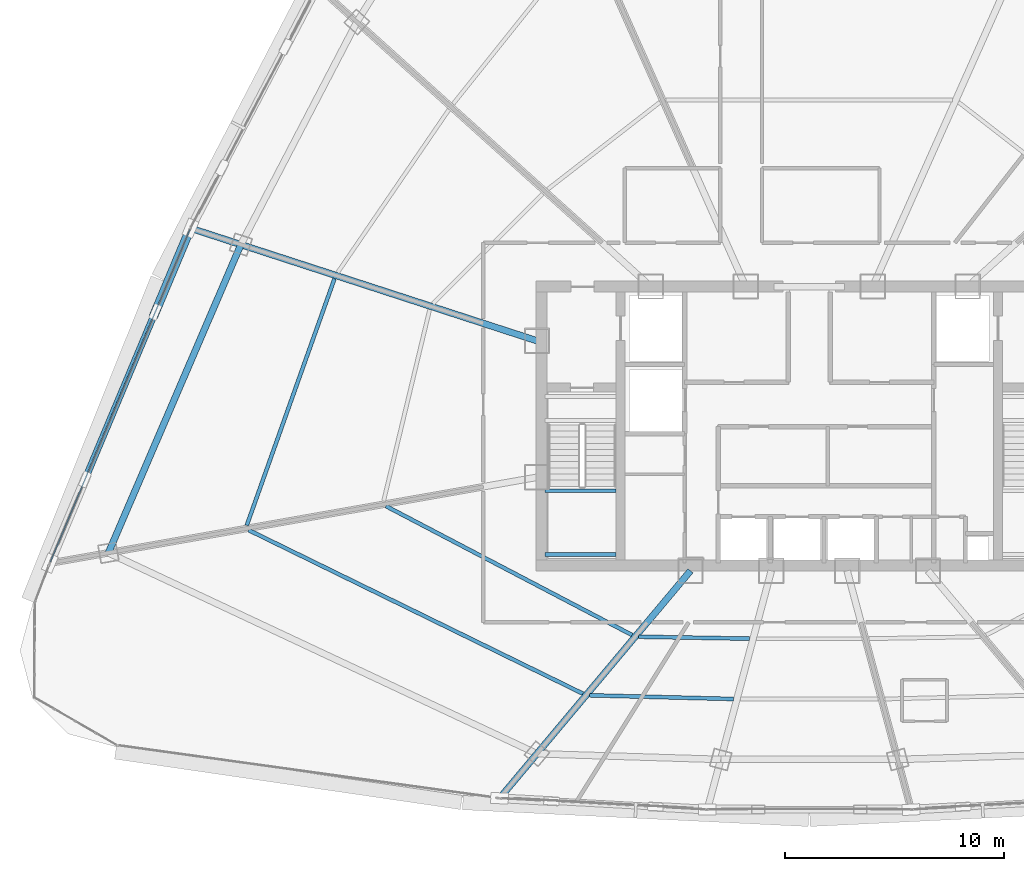
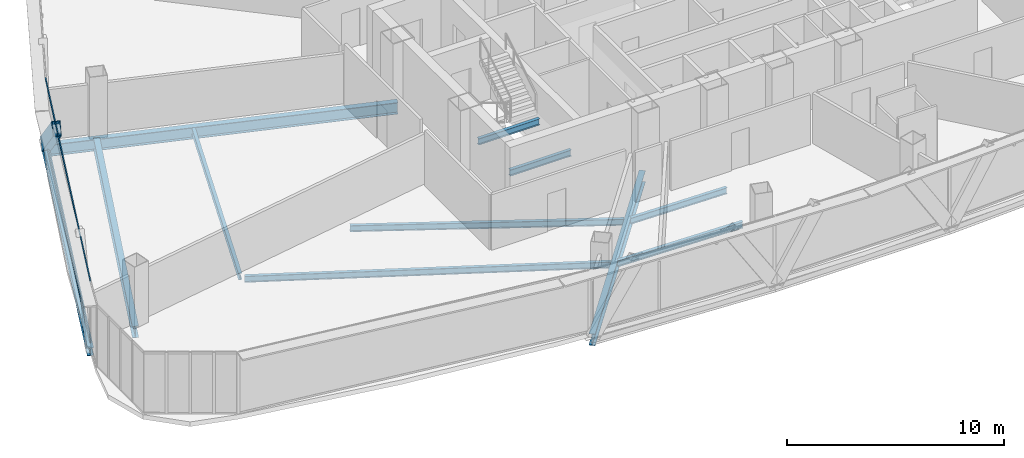
# One storey, part 7 of 37: 11 beams, 3 members, 1 element without a shape of its own.
"""IFC4 building model written with IfcOpenShell, lengths in metres."""

from ifc_helpers import new_model, si_unit, direction, frame, origin, origin_2d, place, context, subcontext, project, spatial, hollow_rectangle, i_section, extrude, source, transform, mapped, material, layer, layer_set, material_profile, profile_set, type_object, element, aggregate, save


model = new_model("IFC4")

# Units and contexts
model_context = context("Model", 3, precision=1e-05, world=origin(), true_north=direction((0.0, 1.0)))
body_context = subcontext(model_context, "Body", "Model", "MODEL_VIEW")
ifc_project = project(units=[si_unit("LENGTHUNIT", "METRE"), si_unit("AREAUNIT", "SQUARE_METRE"), si_unit("VOLUMEUNIT", "CUBIC_METRE"), si_unit("PLANEANGLEUNIT", "RADIAN"), si_unit("MASSUNIT", "GRAM", prefix="KILO"), si_unit("THERMODYNAMICTEMPERATUREUNIT", "KELVIN"), si_unit("POWERUNIT", "WATT")], contexts=[model_context])

# Site, building, storey
site_placement = place(None, origin())
site = spatial("IfcSite", under=ifc_project, at=site_placement, CompositionType="ELEMENT")
building_placement = place(site_placement, origin())
building = spatial("IfcBuilding", under=site, at=building_placement, Name="Yunzhuo Pagoda Commons", CompositionType="ELEMENT")
storey_placement = place(building_placement, frame((0.0, 0.0, 240.800048828125)))
storey = spatial("IfcBuildingStorey", under=building, at=storey_placement, Name="L60", CompositionType="ELEMENT", Elevation=240.800048828125)

# Beams
ifc_material_1 = material(Name="Structural steel Q355B", Category="steel")
ifc_material_profile_1 = material_profile(ifc_material_1, i_section(OverallWidth=0.175048828125, OverallDepth=0.35009765625, WebThickness=0.007080078125, FlangeThickness=0.010986328125, at=origin_2d()), Name="Structural steel Q355B")
ifc_profile_set_1 = profile_set([ifc_material_profile_1], Name="Structural steel Q355B")
beam_type_1 = type_object("IfcBeamType", Name="B-JS2 Joist HN 350x175x7x11", PredefinedType="JOIST", material=ifc_profile_set_1)
shared_shape_1 = source(origin(), body_context, "Body", "SweptSolid", [
    extrude(i_section(OverallWidth=0.175048828125, OverallDepth=0.35009765625, WebThickness=0.007080078125, FlangeThickness=0.010986328125, at=origin_2d()), origin(), (0.0, 0.0, 1.0), 3.25),
])
for number, where, z_axis, x_axis, name in (
    (1, (35.949951171875, 28.0, 1.489990234375), (1.0, 0.0, 0.0), (0.0, 1.0, 0.0), "L60 ST1 landing support beam 66A"),
    (2, (35.949951171875, 30.89990234375, 1.489990234375), (1.0, 0.0, 0.0), (0.0, 1.0, 0.0), "L60 ST1 landing support beam 66B"),
):
    element("IfcBeam", number, at=place(storey_placement, frame(where, z_axis=z_axis, x_axis=x_axis)), inside=storey, type_object=beam_type_1, Name=name, PredefinedType="JOIST", context=body_context, shape_type="MappedRepresentation", body=[
        mapped(shared_shape_1, transform((0.0, 0.0, 0.0), scale=1.0)),
    ])
ifc_material_profile_2 = material_profile(ifc_material_1, i_section(OverallWidth=0.300048828125, OverallDepth=0.64990234375, WebThickness=0.012939453125, FlangeThickness=0.02197265625, at=origin_2d()), Name="Structural steel Q355B")
ifc_profile_set_2 = profile_set([ifc_material_profile_2], Name="Structural steel Q355B")
beam_type_2 = type_object("IfcBeamType", Name="B-RG2 Beam HN 650x300x13x22", PredefinedType="BEAM", material=ifc_profile_set_2)
shared_shape_2 = source(origin(), body_context, "Body", "SweptSolid", [
    extrude(i_section(OverallWidth=0.300048828125, OverallDepth=0.64990234375, WebThickness=0.012939453125, FlangeThickness=0.02197265625, at=origin_2d()), origin(), (0.0, 0.0, 1.0), 15.287841796875),
])
beam_1_placement = place(storey_placement, frame((22.101806640625, 42.114990234375, -0.5849609375), z_axis=(-0.394815333819, -0.918760497726, 0.0), x_axis=(0.918760497726, -0.394815333819, 0.0)))
element("IfcBeam", 3, at=beam_1_placement, inside=storey, type_object=beam_type_2, Name="L60 column-ring beam 11", PredefinedType="BEAM", context=body_context, shape_type="MappedRepresentation", body=[
    mapped(shared_shape_2, transform((0.0, 0.0, 0.0), scale=1.0)),
])
shared_shape_3 = source(origin(), body_context, "Body", "SweptSolid", [
    extrude(i_section(OverallWidth=0.175048828125, OverallDepth=0.35009765625, WebThickness=0.007080078125, FlangeThickness=0.010986328125, at=origin_2d()), origin(), (0.0, 0.0, 1.0), 5.0556640625),
])
beam_2_placement = place(storey_placement, frame((40.228515625, 24.24609375, -0.43505859375), z_axis=(0.999848878561, -0.017384477, 0.0), x_axis=(0.017384477, 0.999848878561, 0.0)))
element("IfcBeam", 4, at=beam_2_placement, inside=storey, type_object=beam_type_1, Name="L60 composite ring joist 1.1", PredefinedType="JOIST", context=body_context, shape_type="MappedRepresentation", body=[
    mapped(shared_shape_3, transform((0.0, 0.0, 0.0), scale=1.0)),
])
shared_shape_4 = source(origin(), body_context, "Body", "SweptSolid", [
    extrude(i_section(OverallWidth=0.175048828125, OverallDepth=0.35009765625, WebThickness=0.007080078125, FlangeThickness=0.010986328125, at=origin_2d()), origin(), (0.0, 0.0, 1.0), 6.558349609375),
])
beam_3_placement = place(storey_placement, frame((37.990234375, 21.577392578125, -0.43505859375), z_axis=(0.99966910323, -0.025723220017, 0.0), x_axis=(0.025723220017, 0.99966910323, 0.0)))
element("IfcBeam", 5, at=beam_3_placement, inside=storey, type_object=beam_type_1, Name="L60 composite ring joist 2.1", PredefinedType="JOIST", context=body_context, shape_type="MappedRepresentation", body=[
    mapped(shared_shape_4, transform((0.0, 0.0, 0.0), scale=1.0)),
])
shared_shape_5 = source(origin(), body_context, "Body", "SweptSolid", [
    extrude(i_section(OverallWidth=0.175048828125, OverallDepth=0.35009765625, WebThickness=0.007080078125, FlangeThickness=0.010986328125, at=origin_2d()), origin(), (0.0, 0.0, 1.0), 12.666259765625),
])
beam_4_placement = place(storey_placement, frame((28.70849609375, 30.19970703125, -0.43505859375), z_axis=(0.885841344078, -0.463988268302, 0.0), x_axis=(0.463988268302, 0.885841344078, 0.0)))
element("IfcBeam", 6, at=beam_4_placement, inside=storey, type_object=beam_type_1, Name="L60 composite ring joist 1.12", PredefinedType="JOIST", context=body_context, shape_type="MappedRepresentation", body=[
    mapped(shared_shape_5, transform((0.0, 0.0, 0.0), scale=1.0)),
])
shared_shape_6 = source(origin(), body_context, "Body", "SweptSolid", [
    extrude(i_section(OverallWidth=0.175048828125, OverallDepth=0.35009765625, WebThickness=0.007080078125, FlangeThickness=0.010986328125, at=origin_2d()), origin(), (0.0, 0.0, 1.0), 16.95361328125),
])
beam_5_placement = place(storey_placement, frame((22.459716796875, 29.101806640625, -0.43505859375), z_axis=(0.898261717675, -0.439460904473, 0.0), x_axis=(0.439460904473, 0.898261717675, 0.0)))
element("IfcBeam", 7, at=beam_5_placement, inside=storey, type_object=beam_type_1, Name="L60 composite ring joist 2.12", PredefinedType="JOIST", context=body_context, shape_type="MappedRepresentation", body=[
    mapped(shared_shape_6, transform((0.0, 0.0, 0.0), scale=1.0)),
])
shared_shape_7 = source(origin(), body_context, "Body", "SweptSolid", [
    extrude(i_section(OverallWidth=0.175048828125, OverallDepth=0.35009765625, WebThickness=0.007080078125, FlangeThickness=0.010986328125, at=origin_2d()), origin(), (0.0, 0.0, 1.0), 11.929931640625),
])
beam_6_placement = place(storey_placement, frame((26.36767578125, 40.5615234375, -0.43505859375), z_axis=(-0.335086374925, -0.942187413066, 0.0), x_axis=(0.942187413066, -0.335086374925, 0.0)))
element("IfcBeam", 8, at=beam_6_placement, inside=storey, type_object=beam_type_1, Name="L60 composite ring joist 2.11", PredefinedType="JOIST", context=body_context, shape_type="MappedRepresentation", body=[
    mapped(shared_shape_7, transform((0.0, 0.0, 0.0), scale=1.0)),
])
shared_shape_8 = source(origin(), body_context, "Body", "SweptSolid", [
    extrude(i_section(OverallWidth=0.300048828125, OverallDepth=0.64990234375, WebThickness=0.012939453125, FlangeThickness=0.02197265625, at=origin_2d()), origin(), (0.0, 0.0, 1.0), 13.375),
])
beam_7_placement = place(storey_placement, frame((33.99072265625, 17.00390625, -0.5849609375), z_axis=(0.6427733277, 0.766056426902, 0.0), x_axis=(-0.766056426902, 0.6427733277, 0.0)))
element("IfcBeam", 9, at=beam_7_placement, inside=storey, type_object=beam_type_2, Name="L60 radial floor girder F1C1", PredefinedType="BEAM", context=body_context, shape_type="MappedRepresentation", body=[
    mapped(shared_shape_8, transform((0.0, 0.0, 0.0), scale=1.0)),
])
shared_shape_9 = source(origin(), body_context, "Body", "SweptSolid", [
    extrude(i_section(OverallWidth=0.300048828125, OverallDepth=0.64990234375, WebThickness=0.012939453125, FlangeThickness=0.02197265625, at=origin_2d()), origin(), (0.0, 0.0, 1.0), 16.453125),
])
beam_8_placement = place(storey_placement, frame((19.9521484375, 42.813232421875, -0.5849609375), z_axis=(0.951058273777, -0.30901158535, 0.0), x_axis=(0.30901158535, 0.951058273777, 0.0)))
element("IfcBeam", 10, at=beam_8_placement, inside=storey, type_object=beam_type_2, Name="L60 radial floor girder F3C3", PredefinedType="BEAM", context=body_context, shape_type="MappedRepresentation", body=[
    mapped(shared_shape_9, transform((0.0, 0.0, 0.0), scale=1.0)),
])
ifc_material_profile_3 = material_profile(ifc_material_1, i_section(OverallWidth=0.300048828125, OverallDepth=0.43994140625, WebThickness=0.010986328125, FlangeThickness=0.01806640625, at=origin_2d()), Name="Structural steel Q355B")
ifc_profile_set_3 = profile_set([ifc_material_profile_3], Name="Structural steel Q355B")
beam_type_3 = type_object("IfcBeamType", Name="B-SP2 Beam HM 440x300x11x18", PredefinedType="BEAM", material=ifc_profile_set_3)
shared_shape_10 = source(origin(), body_context, "Body", "SweptSolid", [
    extrude(i_section(OverallWidth=0.300048828125, OverallDepth=0.43994140625, WebThickness=0.010986328125, FlangeThickness=0.01806640625, at=origin_2d()), origin(), (0.0, 0.0, 1.0), 16.553955078125),
])
beam_9_placement = place(storey_placement, frame((19.804931640625, 42.861083984375, -0.47998046875), z_axis=(-0.38718584709, -0.922001691871, 0.0), x_axis=(0.922001691871, -0.38718584709, 0.0)))
element("IfcBeam", 11, at=beam_9_placement, inside=storey, type_object=beam_type_3, Name="L60 facade edge spandrel beam F3.3", PredefinedType="BEAM", context=body_context, shape_type="MappedRepresentation", body=[
    mapped(shared_shape_10, transform((0.0, 0.0, 0.0), scale=1.0)),
])

# Member
ifc_material_profile_4 = material_profile(ifc_material_1, hollow_rectangle(XDim=0.39990234375, YDim=0.719970703125, WallThickness=0.02392578125, at=origin_2d()), Name="Structural steel Q355B")
ifc_profile_set_4 = profile_set([ifc_material_profile_4], Name="Structural steel Q355B")
member_type_1 = type_object("IfcMemberType", Name="M-DL2 Brace BOX 720x400x24", PredefinedType="BRACE", material=ifc_profile_set_4)
shared_shape_11 = source(origin(), body_context, "Body", "SweptSolid", [
    extrude(hollow_rectangle(XDim=0.39990234375, YDim=0.719970703125, WallThickness=0.02392578125, at=origin_2d()), origin(), (0.0, 0.0, 1.0), 5.571533203125),
])
member_1_placement = place(storey_placement, frame((19.804931640625, 42.861083984375, -0.260009765625), z_axis=(-0.287629390213, -0.684850661127, 0.669513932521), x_axis=(0.921985896616, -0.38722345802, 0.0)))
element("IfcMember", 12, at=member_1_placement, inside=storey, type_object=member_type_1, Name="L60 facade diamond brace F3.3L", PredefinedType="BRACE", context=body_context, shape_type="MappedRepresentation", body=[
    mapped(shared_shape_11, transform((0.0, 0.0, 0.0), scale=1.0)),
])

# Curtain wall, members
ifc_material_2 = material(Name="Anodized aluminium 6063-T6", Category="aluminium")
ifc_layer = layer(ifc_material_2, 0.139892578125)
ifc_layer_set = layer_set([ifc_layer], Name="Anodized aluminium 6063-T6")
curtain_wall_type = type_object("IfcCurtainWallType", Name="CW-HI High-Zone Ribbon Curtain Wall", PredefinedType="NOTDEFINED", material=ifc_layer_set)
curtain_wall_placement = place(storey_placement, origin())
curtain_wall = element("IfcCurtainWall", 13, at=curtain_wall_placement, inside=storey, type_object=curtain_wall_type, Name="L60 curtain wall CW-L60-F3B4", PredefinedType="NOTDEFINED")
ifc_material_profile_5 = material_profile(ifc_material_2, hollow_rectangle(XDim=0.054931640625, YDim=0.1201171875, WallThickness=0.00341796875, at=origin_2d()), Name="Anodized aluminium 6063-T6")
ifc_profile_set_5 = profile_set([ifc_material_profile_5], Name="Anodized aluminium 6063-T6")
member_type_2 = type_object("IfcMemberType", Name="CW-HI-T Transom RHS 120x55x3.5", PredefinedType="USERDEFINED", material=ifc_profile_set_5)
shared_shape_12 = source(origin(), body_context, "Body", "SweptSolid", [
    extrude(hollow_rectangle(XDim=0.054931640625, YDim=0.1201171875, WallThickness=0.00341796875, at=origin_2d()), origin(), (0.0, 0.0, 1.0), 16.433837890625),
])
member_2_placement = place(storey_placement, frame((19.781494140625, 42.805908203125, 0.02734375), z_axis=(-0.38717616129, -0.922005759271, 0.0), x_axis=(0.922005759271, -0.38717616129, 0.0)))
member_2 = element("IfcMember", 14, at=member_2_placement, type_object=member_type_2, Name="CW transom 1.1", ObjectType="TRANSOM", PredefinedType="USERDEFINED", context=body_context, shape_type="MappedRepresentation", body=[
    mapped(shared_shape_12, transform((0.0, 0.0, 0.0), scale=1.0)),
])
member_3_placement = place(storey_placement, frame((19.781494140625, 42.805908203125, 3.4423828125), z_axis=(-0.38717616129, -0.922005759271, 0.0), x_axis=(0.922005759271, -0.38717616129, 0.0)))
member_3 = element("IfcMember", 15, at=member_3_placement, type_object=member_type_2, Name="CW transom 1.2", ObjectType="TRANSOM", PredefinedType="USERDEFINED", context=body_context, shape_type="MappedRepresentation", body=[
    mapped(shared_shape_12, transform((0.0, 0.0, 0.0), scale=1.0)),
])
aggregate(curtain_wall, [member_2, member_3])

save(model, "model.ifc")
